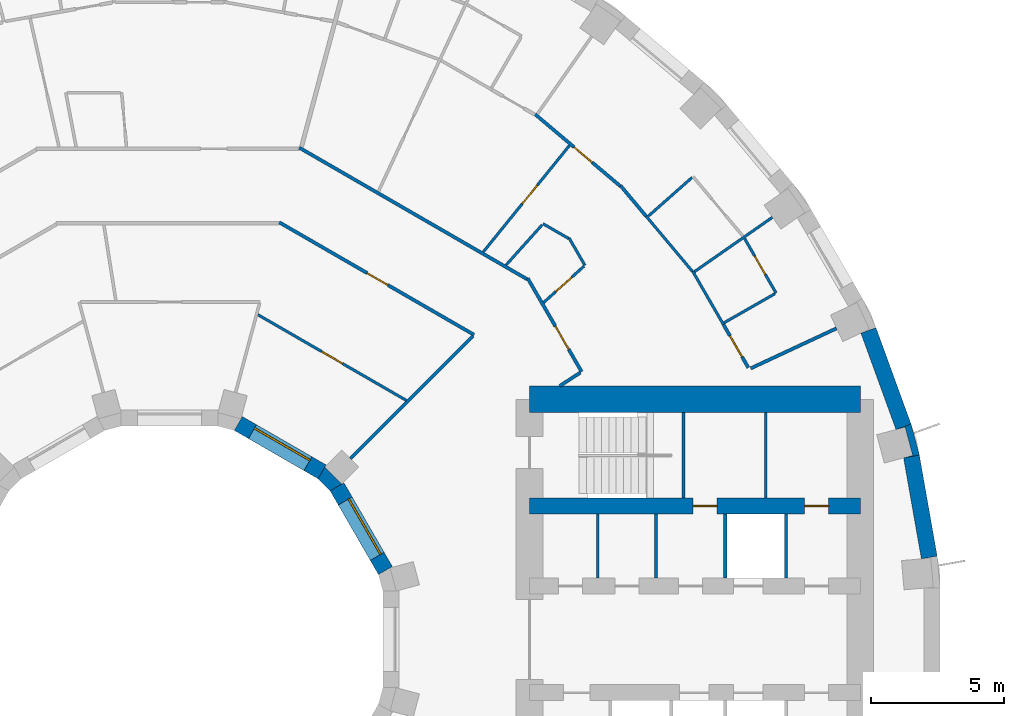
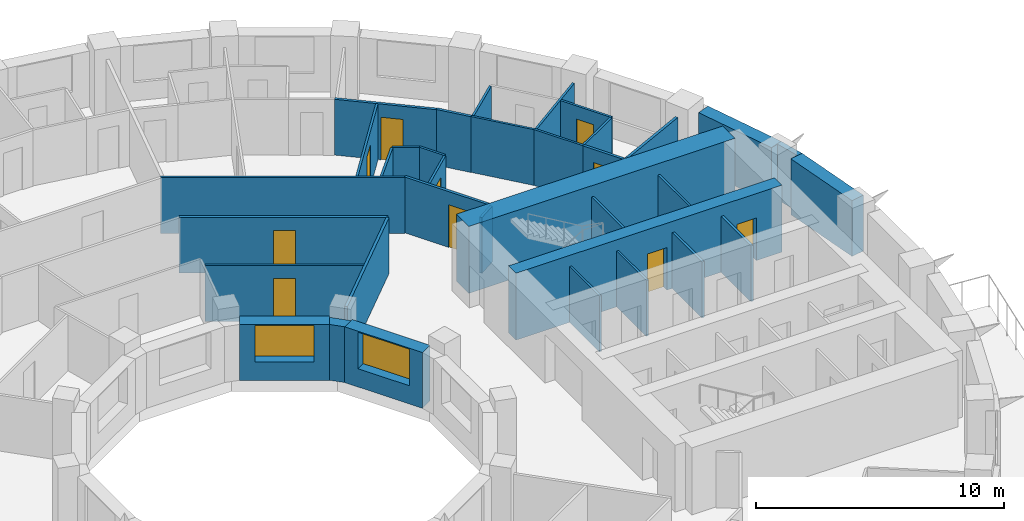
# One storey, part 12 of 15: 35 walls, 10 doors, 2 windows, 12 openings.
"""IFC4 building model written with IfcOpenShell, lengths in metres."""

from ifc_helpers import new_model, si_unit, direction, frame, frame_2d, origin, place, context, subcontext, project, spatial, polyline, rectangle, outline, extrude, material, layer, layer_set, type_object, element, fill, save


model = new_model("IFC4")

# Units and contexts
model_context = context("Model", 3, precision=1e-05, world=origin(), true_north=direction((0.0, 1.0)))
body_context = subcontext(model_context, "Body", "Model", "MODEL_VIEW")
ifc_project = project(units=[si_unit("LENGTHUNIT", "METRE"), si_unit("AREAUNIT", "SQUARE_METRE"), si_unit("VOLUMEUNIT", "CUBIC_METRE"), si_unit("PLANEANGLEUNIT", "RADIAN"), si_unit("MASSUNIT", "GRAM", prefix="KILO")], contexts=[model_context])

# Site, building, storey
site_placement = place(None, origin())
site = spatial("IfcSite", under=ifc_project, at=site_placement, CompositionType="ELEMENT")
building_placement = place(site_placement, origin())
building = spatial("IfcBuilding", under=site, at=building_placement, Name="Saqina Gate Tower", CompositionType="ELEMENT")
storey_placement = place(building_placement, frame((0.0, 0.0, 42.800048828125)))
storey = spatial("IfcBuildingStorey", under=building, at=storey_placement, Name="L11", CompositionType="ELEMENT", Elevation=42.800048828125)

# Walls
ifc_material_1 = material(Name="Brick masonry (red)", Category="masonry")
wall_type_1 = type_object("IfcWallType", Name="BRICK PIER COPING RED", PredefinedType="SOLIDWALL", material=ifc_material_1)
wall_1_placement = place(storey_placement, origin())
element("IfcWall", 1, at=wall_1_placement, inside=storey, type_object=wall_type_1, Name="Pier cap L11 column 2", PredefinedType="SOLIDWALL", context=body_context, shape_type="SweptSolid", body=[
    extrude(outline(polyline([(28.11669921875, 6.910400390625), (27.80517578125, 8.073974609375), (27.2412109375, 7.86865234375), (27.57958984375, 7.95947265625), (27.864501953125, 6.896728515625), (27.52587890625, 6.80615234375), (28.11669921875, 6.910400390625)])), origin(), (0.0, 0.0, 1.0), 2.75),
])
ifc_material_2 = material(Name="Gypsum board on steel studs", Category="steel")
ifc_layer_1 = layer(ifc_material_2, 0.10009765625)
ifc_layer_set_1 = layer_set([ifc_layer_1], Name="CORE PARTITION")
wall_type_2 = type_object("IfcWallType", Name="CORE PARTITION", PredefinedType="PARTITIONING", material=ifc_layer_set_1)
for number, where, z_axis, x_axis, name in (
    (2, (16.052001953125, 2.300048828125, 0.0), (0.0, 0.0, 1.0), (0.0, 1.0, 0.0), "L11-CP-E01"),
    (3, (18.24072265625, 2.300048828125, 0.0), (0.0, 0.0, 1.0), (0.0, 1.0, 0.0), "L11-CP-E02"),
):
    element("IfcWall", number, at=place(storey_placement, frame(where, z_axis=z_axis, x_axis=x_axis)), inside=storey, type_object=wall_type_2, Name=name, PredefinedType="PARTITIONING", context=body_context, shape_type="SweptSolid", body=[
        extrude(rectangle(XDim=2.39990234375, YDim=0.10009765625, at=frame_2d((1.199951171875, 0.0))), origin(), (0.0, 0.0, 1.0), 2.75),
    ])
wall_2_placement = place(storey_placement, frame((22.360107421875, 5.300048828125, 0.0), z_axis=(0.0, 0.0, 1.0), x_axis=(0.0, 1.0, 0.0)))
element("IfcWall", 4, at=wall_2_placement, inside=storey, type_object=wall_type_2, Name="L11-CP-E11", PredefinedType="PARTITIONING", context=body_context, shape_type="SweptSolid", body=[
    extrude(rectangle(XDim=3.199951171875, YDim=0.10009765625, at=frame_2d((1.60009765625, 0.0))), origin(), (0.0, 0.0, 1.0), 2.75),
])
ifc_material_3 = material(Name="Glazed ceramic tile", Category="ceramic")
ifc_layer_2 = layer(ifc_material_3, 0.60009765625)
ifc_layer_set_2 = layer_set([ifc_layer_2], Name="FW-TILE")
wall_type_3 = type_object("IfcWallType", Name="FW-TILE", PredefinedType="SOLIDWALL", material=ifc_layer_set_2)
wall_3_placement = place(storey_placement, frame((27.523193359375, 7.97119140625, 0.0), z_axis=(0.0, 0.0, 1.0), x_axis=(-0.342028474173, 0.939689588564, 0.0)))
element("IfcWall", 5, at=wall_3_placement, inside=storey, type_object=wall_type_3, Name="Facade wall L11 facet 2", PredefinedType="SOLIDWALL", context=body_context, shape_type="SweptSolid", body=[
    extrude(rectangle(XDim=3.845947265625, YDim=0.60009765625, at=frame_2d((1.9228515625, 0.0))), origin(), (0.0, 0.0, 1.0), 2.75),
])
ifc_material_4 = material(Name="Glazed ceramic tile (white)", Category="ceramic")
ifc_layer_3 = layer(ifc_material_4, 0.60009765625)
ifc_layer_set_3 = layer_set([ifc_layer_3], Name="FW-TILE-WH")
wall_type_4 = type_object("IfcWallType", Name="FW-TILE-WH", PredefinedType="SOLIDWALL", material=ifc_layer_set_3)
wall_4_placement = place(storey_placement, frame((28.4892578125, 3.07080078125, 0.0), z_axis=(0.0, 0.0, 1.0), x_axis=(-0.173687553279, 0.984800809218, 0.0)))
element("IfcWall", 6, at=wall_4_placement, inside=storey, type_object=wall_type_4, Name="Facade wall L11 facet 1", PredefinedType="SOLIDWALL", context=body_context, shape_type="SweptSolid", body=[
    extrude(rectangle(XDim=3.845703125, YDim=0.60009765625, at=frame_2d((1.9228515625, 0.0))), origin(), (0.0, 0.0, 1.0), 2.75),
])

# Wall, opening, window
ifc_material_5 = material(Name="Glazed ceramic tile", Category="ceramic")
ifc_layer_4 = layer(ifc_material_5, 0.60009765625)
ifc_layer_set_4 = layer_set([ifc_layer_4], Name="IW-TILE")
wall_type_5 = type_object("IfcWallType", Name="IW-TILE", PredefinedType="SOLIDWALL", material=ifc_layer_set_4)
wall_5_placement = place(storey_placement, frame((8.09423828125, 2.580322265625, 0.0), z_axis=(0.0, 0.0, 1.0), x_axis=(-0.499992569217, 0.866029693906, 0.0)))
wall_5 = element("IfcWall", 7, at=wall_5_placement, inside=storey, type_object=wall_type_5, Name="Well wall L11 facet 1", PredefinedType="SOLIDWALL", context=body_context, shape_type="SweptSolid", body=[
    extrude(rectangle(XDim=3.625, YDim=0.60009765625, at=frame_2d((1.8125, 0.0))), origin(), (0.0, 0.0, 1.0), 2.75),
])
opening_1_placement = place(wall_5_placement, frame((0.612548828125, 0.0, 0.89990234375)))
opening_1 = element("IfcOpeningElement", 8, at=opening_1_placement, cuts=wall_5, Name="Opening G02-W23", PredefinedType="OPENING", context=body_context, shape_type="SweptSolid", body=[
    extrude(rectangle(XDim=2.39990234375, YDim=1.800048828125, at=frame_2d((1.199951171875, 0.89990234375))), frame((0.0, 0.31201171875, 0.0), z_axis=(0.0, -1.0, 0.0), x_axis=(1.0, 0.0, 0.0)), (0.0, 0.0, 1.0), 0.6240234375),
])
ifc_material_6 = material(Name="Aluminium glazing", Category="aluminium")
window_type = type_object("IfcWindowType", Name="WN-W", PartitioningType="SINGLE_PANEL", PredefinedType="WINDOW", material=ifc_material_6)
window_1_placement = place(opening_1_placement, origin())
window_1 = element("IfcWindow", 9, at=window_1_placement, inside=storey, type_object=window_type, Name="Well window L11 facet 1", OverallHeight=1.800048828125, OverallWidth=2.39990234375, PartitioningType="SINGLE_PANEL", PredefinedType="WINDOW", context=body_context, shape_type="SweptSolid", body=[
    extrude(rectangle(XDim=2.39990234375, YDim=1.800048828125, at=frame_2d((1.199951171875, 0.89990234375))), frame((0.0, -0.119873046875, 0.0), z_axis=(0.0, -1.0, 0.0), x_axis=(1.0, 0.0, 0.0)), (0.0, 0.0, 1.0), 0.06005859375),
])
fill(opening_1, window_1)

wall_6_placement = place(storey_placement, frame((5.7197265625, 6.28173828125, 0.0), z_axis=(0.0, 0.0, 1.0), x_axis=(-0.866029693906, 0.499992569217, 0.0)))
wall_6 = element("IfcWall", 10, at=wall_6_placement, inside=storey, type_object=wall_type_5, Name="Well wall L11 facet 2", PredefinedType="SOLIDWALL", context=body_context, shape_type="SweptSolid", body=[
    extrude(rectangle(XDim=3.625, YDim=0.60009765625, at=frame_2d((1.8125, 0.0))), origin(), (0.0, 0.0, 1.0), 2.75),
])
opening_2_placement = place(wall_6_placement, frame((0.612548828125, 0.0, 0.89990234375)))
opening_2 = element("IfcOpeningElement", 11, at=opening_2_placement, cuts=wall_6, Name="Opening G02-W24", PredefinedType="OPENING", context=body_context, shape_type="SweptSolid", body=[
    extrude(rectangle(XDim=2.39990234375, YDim=1.800048828125, at=frame_2d((1.199951171875, 0.89990234375))), frame((0.0, 0.31201171875, 0.0), z_axis=(0.0, -1.0, 0.0), x_axis=(1.0, 0.0, 0.0)), (0.0, 0.0, 1.0), 0.6240234375),
])
window_2_placement = place(opening_2_placement, origin())
window_2 = element("IfcWindow", 12, at=window_2_placement, inside=storey, type_object=window_type, Name="Well window L11 facet 2", OverallHeight=1.800048828125, OverallWidth=2.39990234375, PartitioningType="SINGLE_PANEL", PredefinedType="WINDOW", context=body_context, shape_type="SweptSolid", body=[
    extrude(rectangle(XDim=2.39990234375, YDim=1.800048828125, at=frame_2d((1.199951171875, 0.89990234375))), frame((0.0, -0.119873046875, 0.0), z_axis=(0.0, -1.0, 0.0), x_axis=(1.0, 0.0, 0.0)), (0.0, 0.0, 1.0), 0.06005859375),
])
fill(opening_2, window_2)

# Walls
ifc_material_7 = material(Name="Gypsum board on steel studs, 100 mm", Category="steel")
ifc_layer_5 = layer(ifc_material_7, 0.10009765625)
ifc_layer_set_5 = layer_set([ifc_layer_5], Name="PARTITION 100")
wall_type_6 = type_object("IfcWallType", Name="PARTITION 100", PredefinedType="PARTITIONING", material=ifc_layer_set_5)
wall_7_placement = place(storey_placement, frame((14.97802734375, 15.056884765625, 0.0), z_axis=(0.0, 0.0, 1.0), x_axis=(0.500342374835, -0.865827643324, 0.0)))
element("IfcWall", 13, at=wall_7_placement, inside=storey, type_object=wall_type_6, Name="PARTITION PW3-25", PredefinedType="PARTITIONING", context=body_context, shape_type="SweptSolid", body=[
    extrude(rectangle(XDim=1.193115234375, YDim=0.10009765625, at=frame_2d((0.5966796875, 0.0))), origin(), (0.0, 0.0, 1.0), 2.75),
])
wall_8_placement = place(storey_placement, frame((19.61865234375, 13.799072265625, 0.0), z_axis=(0.0, 0.0, 1.0), x_axis=(0.500055369823, -0.865993433642, 0.0)))
element("IfcWall", 14, at=wall_8_placement, inside=storey, type_object=wall_type_6, Name="PARTITION PW3-26", PredefinedType="PARTITIONING", context=body_context, shape_type="SweptSolid", body=[
    extrude(rectangle(XDim=2.306396484375, YDim=0.10009765625, at=frame_2d((1.1533203125, 0.0))), origin(), (0.0, 0.0, 1.0), 2.75),
])

# Wall, opening, door
wall_9_placement = place(storey_placement, frame((21.56005859375, 15.03564453125, 0.0), z_axis=(0.0, 0.0, 1.0), x_axis=(0.499987246797, -0.866032766724, 0.0)))
wall_9 = element("IfcWall", 15, at=wall_9_placement, inside=storey, type_object=wall_type_6, Name="PARTITION PW3-27", PredefinedType="PARTITIONING", context=body_context, shape_type="SweptSolid", body=[
    extrude(rectangle(XDim=2.36767578125, YDim=0.10009765625, at=frame_2d((1.183837890625, 0.0))), origin(), (0.0, 0.0, 1.0), 2.75),
])
opening_3_placement = place(wall_9_placement, frame((0.759033203125, 0.0, 0.0)))
opening_3 = element("IfcOpeningElement", 16, at=opening_3_placement, cuts=wall_9, Name="Opening G02-D02", PredefinedType="OPENING", context=body_context, shape_type="SweptSolid", body=[
    extrude(rectangle(XDim=0.800048828125, YDim=2.10009765625, at=frame_2d((0.39990234375, 1.050048828125))), frame((0.0, 0.06201171875, 0.0), z_axis=(0.0, -1.0, 0.0), x_axis=(1.0, 0.0, 0.0)), (0.0, 0.0, 1.0), 0.1240234375),
])
ifc_material_8 = material(Name="Timber door leaf, 800 mm", Category="wood")
door_type_1 = type_object("IfcDoorType", Name="DOOR 800 TIMBER", OperationType="SINGLE_SWING_LEFT", PredefinedType="DOOR", material=ifc_material_8)
door_1_placement = place(opening_3_placement, origin())
door_1 = element("IfcDoor", 17, at=door_1_placement, inside=storey, type_object=door_type_1, Name="DOOR G02-D02", OperationType="SINGLE_SWING_LEFT", OverallHeight=2.10009765625, OverallWidth=0.800048828125, PredefinedType="DOOR", context=body_context, shape_type="SweptSolid", body=[
    extrude(rectangle(XDim=0.800048828125, YDim=2.10009765625, at=frame_2d((0.39990234375, 1.050048828125))), frame((0.0, 0.02490234375, 0.0), z_axis=(0.0, -1.0, 0.0), x_axis=(1.0, 0.0, 0.0)), (0.0, 0.0, 1.0), 0.050048828125),
])
fill(opening_3, door_1)

# Wall
wall_10_placement = place(storey_placement, frame((17.872802734375, 15.865234375, 0.0), z_axis=(0.0, 0.0, 1.0), x_axis=(0.642870303164, -0.765975047446, 0.0)))
element("IfcWall", 18, at=wall_10_placement, inside=storey, type_object=wall_type_6, Name="PARTITION PW3-32", PredefinedType="PARTITIONING", context=body_context, shape_type="SweptSolid", body=[
    extrude(rectangle(XDim=2.705078125, YDim=0.10009765625, at=frame_2d((1.3525390625, 0.0))), origin(), (0.0, 0.0, 1.0), 2.75),
])

# Wall, opening, door
wall_11_placement = place(storey_placement, frame((3.312744140625, 12.1748046875, 0.0), z_axis=(0.0, 0.0, 1.0), x_axis=(0.866015366624, -0.500017384468, 0.0)))
wall_11 = element("IfcWall", 19, at=wall_11_placement, inside=storey, type_object=wall_type_6, Name="PARTITION PW3-45", PredefinedType="PARTITIONING", context=body_context, shape_type="SweptSolid", body=[
    extrude(rectangle(XDim=6.425048828125, YDim=0.10009765625, at=frame_2d((3.21240234375, 0.0))), origin(), (0.0, 0.0, 1.0), 2.75),
])
opening_4_placement = place(wall_11_placement, frame((2.7685546875, 0.0, 0.0)))
opening_4 = element("IfcOpeningElement", 20, at=opening_4_placement, cuts=wall_11, Name="Opening G02-D09", PredefinedType="OPENING", context=body_context, shape_type="SweptSolid", body=[
    extrude(rectangle(XDim=0.89990234375, YDim=2.10009765625, at=frame_2d((0.449951171875, 1.050048828125))), frame((0.0, 0.06201171875, 0.0), z_axis=(0.0, -1.0, 0.0), x_axis=(1.0, 0.0, 0.0)), (0.0, 0.0, 1.0), 0.1240234375),
])
ifc_material_9 = material(Name="Timber door leaf, 900 mm", Category="wood")
door_type_2 = type_object("IfcDoorType", Name="DOOR 900 TIMBER", OperationType="SINGLE_SWING_LEFT", PredefinedType="DOOR", material=ifc_material_9)
door_2_placement = place(opening_4_placement, origin())
door_2 = element("IfcDoor", 21, at=door_2_placement, inside=storey, type_object=door_type_2, Name="DOOR G02-D09", OperationType="SINGLE_SWING_RIGHT", OverallHeight=2.10009765625, OverallWidth=0.89990234375, PredefinedType="DOOR", context=body_context, shape_type="SweptSolid", body=[
    extrude(rectangle(XDim=0.89990234375, YDim=2.10009765625, at=frame_2d((0.449951171875, 1.050048828125))), frame((0.0, 0.02490234375, 0.0), z_axis=(0.0, -1.0, 0.0), x_axis=(1.0, 0.0, 0.0)), (0.0, 0.0, 1.0), 0.050048828125),
])
fill(opening_4, door_2)

# Walls
wall_12_placement = place(storey_placement, frame((14.008056640625, 15.5830078125, 0.0), z_axis=(0.0, 0.0, 1.0), x_axis=(0.866288740656, -0.49954360952, 0.0)))
element("IfcWall", 22, at=wall_12_placement, inside=storey, type_object=wall_type_6, Name="PARTITION PW3-46", PredefinedType="PARTITIONING", context=body_context, shape_type="SweptSolid", body=[
    extrude(rectangle(XDim=1.10302734375, YDim=0.10009765625, at=frame_2d((0.551513671875, 0.0))), origin(), (0.0, 0.0, 1.0), 2.75),
])
wall_13_placement = place(storey_placement, frame((20.79052734375, 11.869873046875, 0.0), z_axis=(0.0, 0.0, 1.0), x_axis=(0.86847529617, 0.495732447942, 0.0)))
element("IfcWall", 23, at=wall_13_placement, inside=storey, type_object=wall_type_6, Name="PARTITION PW3-74", PredefinedType="PARTITIONING", context=body_context, shape_type="SweptSolid", body=[
    extrude(rectangle(XDim=2.199462890625, YDim=0.10009765625, at=frame_2d((1.099609375, 0.0))), origin(), (0.0, 0.0, 1.0), 2.75),
])
wall_14_placement = place(storey_placement, frame((19.6826171875, 13.786865234375, 0.0), z_axis=(0.0, 0.0, 1.0), x_axis=(0.820194321254, 0.57208502461, 0.0)))
element("IfcWall", 24, at=wall_14_placement, inside=storey, type_object=wall_type_6, Name="PARTITION PW3-83", PredefinedType="PARTITIONING", context=body_context, shape_type="SweptSolid", body=[
    extrude(rectangle(XDim=3.55908203125, YDim=0.10009765625, at=frame_2d((1.779541015625, 0.0))), origin(), (0.0, 0.0, 1.0), 2.75),
])
wall_15_placement = place(storey_placement, frame((17.951904296875, 15.868408203125, 0.0), z_axis=(0.0, 0.0, 1.0), x_axis=(0.749222226859, 0.662318695781, 0.0)))
element("IfcWall", 25, at=wall_15_placement, inside=storey, type_object=wall_type_6, Name="PARTITION PW3-87", PredefinedType="PARTITIONING", context=body_context, shape_type="SweptSolid", body=[
    extrude(rectangle(XDim=2.1884765625, YDim=0.10009765625, at=frame_2d((1.09423828125, 0.0))), origin(), (0.0, 0.0, 1.0), 2.75),
])

# Wall, opening, door
wall_16_placement = place(storey_placement, frame((14.0263671875, 12.62890625, 0.0), z_axis=(0.0, 0.0, 1.0), x_axis=(0.742989731373, 0.669302815678, 0.0)))
wall_16 = element("IfcWall", 26, at=wall_16_placement, inside=storey, type_object=wall_type_6, Name="PARTITION PW3-88", PredefinedType="PARTITIONING", context=body_context, shape_type="SweptSolid", body=[
    extrude(rectangle(XDim=2.034423828125, YDim=0.10009765625, at=frame_2d((1.01708984375, 0.0))), origin(), (0.0, 0.0, 1.0), 2.75),
])
opening_5_placement = place(wall_16_placement, frame((0.61083984375, 0.0, 0.0)))
opening_5 = element("IfcOpeningElement", 27, at=opening_5_placement, cuts=wall_16, Name="Opening G02-D05", PredefinedType="OPENING", context=body_context, shape_type="SweptSolid", body=[
    extrude(rectangle(XDim=0.800048828125, YDim=2.10009765625, at=frame_2d((0.39990234375, 1.050048828125))), frame((0.0, 0.06201171875, 0.0), z_axis=(0.0, -1.0, 0.0), x_axis=(1.0, 0.0, 0.0)), (0.0, 0.0, 1.0), 0.1240234375),
])
door_3_placement = place(opening_5_placement, frame((0.800048828125, 0.0, 0.0), z_axis=(0.0, 0.0, 1.0), x_axis=(-1.0, 0.0, 0.0)))
door_3 = element("IfcDoor", 28, at=door_3_placement, inside=storey, type_object=door_type_1, Name="DOOR G02-D05", OperationType="SINGLE_SWING_RIGHT", OverallHeight=2.10009765625, OverallWidth=0.800048828125, PredefinedType="DOOR", context=body_context, shape_type="SweptSolid", body=[
    extrude(rectangle(XDim=0.800048828125, YDim=2.10009765625, at=frame_2d((0.39990234375, 1.050048828125))), frame((0.0, 0.02490234375, 0.0), z_axis=(0.0, -1.0, 0.0), x_axis=(1.0, 0.0, 0.0)), (0.0, 0.0, 1.0), 0.050048828125),
])
fill(opening_5, door_3)

# Wall
wall_17_placement = place(storey_placement, frame((12.615966796875, 14.03369140625, 0.0), z_axis=(0.0, 0.0, 1.0), x_axis=(0.668327519136, 0.743867143491, 0.0)))
element("IfcWall", 29, at=wall_17_placement, inside=storey, type_object=wall_type_6, Name="PARTITION PW3-90", PredefinedType="PARTITIONING", context=body_context, shape_type="SweptSolid", body=[
    extrude(rectangle(XDim=2.032958984375, YDim=0.10009765625, at=frame_2d((1.0166015625, 0.0))), origin(), (0.0, 0.0, 1.0), 2.75),
])

# Wall, opening, door
wall_18_placement = place(storey_placement, frame((11.763427734375, 14.526611328125, 0.0), z_axis=(0.0, 0.0, 1.0), x_axis=(0.629330794749, 0.777137536592, 0.0)))
wall_18 = element("IfcWall", 30, at=wall_18_placement, inside=storey, type_object=wall_type_6, Name="PARTITION PW3-94", PredefinedType="PARTITIONING", context=body_context, shape_type="SweptSolid", body=[
    extrude(rectangle(XDim=5.138671875, YDim=0.10009765625, at=frame_2d((2.5693359375, 0.0))), origin(), (0.0, 0.0, 1.0), 2.75),
])
opening_6_placement = place(wall_18_placement, frame((2.319580078125, 0.0, 0.0)))
opening_6 = element("IfcOpeningElement", 31, at=opening_6_placement, cuts=wall_18, Name="Opening G02-D07", PredefinedType="OPENING", context=body_context, shape_type="SweptSolid", body=[
    extrude(rectangle(XDim=0.89990234375, YDim=2.10009765625, at=frame_2d((0.449951171875, 1.050048828125))), frame((0.0, 0.06201171875, 0.0), z_axis=(0.0, -1.0, 0.0), x_axis=(1.0, 0.0, 0.0)), (0.0, 0.0, 1.0), 0.1240234375),
])
door_4_placement = place(opening_6_placement, frame((0.89990234375, 0.0, 0.0), z_axis=(0.0, 0.0, 1.0), x_axis=(-1.0, 0.0, 0.0)))
door_4 = element("IfcDoor", 32, at=door_4_placement, inside=storey, type_object=door_type_2, Name="DOOR G02-D07", OperationType="SINGLE_SWING_LEFT", OverallHeight=2.10009765625, OverallWidth=0.89990234375, PredefinedType="DOOR", context=body_context, shape_type="SweptSolid", body=[
    extrude(rectangle(XDim=0.89990234375, YDim=2.10009765625, at=frame_2d((0.449951171875, 1.050048828125))), frame((0.0, 0.02490234375, 0.0), z_axis=(0.0, -1.0, 0.0), x_axis=(1.0, 0.0, 0.0)), (0.0, 0.0, 1.0), 0.050048828125),
])
fill(opening_6, door_4)

ifc_material_10 = material(Name="Gypsum board on steel studs, 125 mm, fire rated", Category="steel")
ifc_layer_6 = layer(ifc_material_10, 0.125)
ifc_layer_set_6 = layer_set([ifc_layer_6], Name="PARTITION EI 30 125")
wall_type_7 = type_object("IfcWallType", Name="PARTITION EI 30 125", PredefinedType="PARTITIONING", material=ifc_layer_set_6)
wall_19_placement = place(storey_placement, frame((13.433837890625, 13.532470703125, 0.0), z_axis=(0.0, 0.0, 1.0), x_axis=(0.499949220301, -0.866054719472, 0.0)))
wall_19 = element("IfcWall", 33, at=wall_19_placement, inside=storey, type_object=wall_type_7, Name="PARTITION PW1-04", PredefinedType="PARTITIONING", context=body_context, shape_type="SweptSolid", body=[
    extrude(rectangle(XDim=4.03857421875, YDim=0.125, at=frame_2d((2.019287109375, 0.0))), origin(), (0.0, 0.0, 1.0), 2.75),
])
opening_7_placement = place(wall_19_placement, frame((2.065185546875, 0.0, 0.0)))
opening_7 = element("IfcOpeningElement", 34, at=opening_7_placement, cuts=wall_19, Name="Opening G02-D03", PredefinedType="OPENING", context=body_context, shape_type="SweptSolid", body=[
    extrude(rectangle(XDim=1.0, YDim=2.10009765625, at=frame_2d((0.5, 1.050048828125))), frame((0.0, 0.074462890625, 0.0), z_axis=(0.0, -1.0, 0.0), x_axis=(1.0, 0.0, 0.0)), (0.0, 0.0, 1.0), 0.14892578125),
])
ifc_material_11 = material(Name="Fire door leaf EI 30, 1000 mm")
door_type_3 = type_object("IfcDoorType", Name="DOOR 1000 EI 30", OperationType="SINGLE_SWING_LEFT", PredefinedType="DOOR", material=ifc_material_11)
door_5_placement = place(opening_7_placement, origin())
door_5 = element("IfcDoor", 35, at=door_5_placement, inside=storey, type_object=door_type_3, Name="DOOR G02-D03", OperationType="SINGLE_SWING_RIGHT", OverallHeight=2.10009765625, OverallWidth=1.0, PredefinedType="DOOR", context=body_context, shape_type="SweptSolid", body=[
    extrude(rectangle(XDim=1.0, YDim=2.10009765625, at=frame_2d((0.5, 1.050048828125))), frame((0.0, 0.02490234375, 0.0), z_axis=(0.0, -1.0, 0.0), x_axis=(1.0, 0.0, 0.0)), (0.0, 0.0, 1.0), 0.050048828125),
])
fill(opening_7, door_5)

wall_20_placement = place(storey_placement, frame((20.77197265625, 11.8017578125, 0.0), z_axis=(0.0, 0.0, 1.0), x_axis=(0.499862453367, -0.866104801807, 0.0)))
wall_20 = element("IfcWall", 36, at=wall_20_placement, inside=storey, type_object=wall_type_7, Name="PARTITION PW1-05", PredefinedType="PARTITIONING", context=body_context, shape_type="SweptSolid", body=[
    extrude(rectangle(XDim=1.86181640625, YDim=0.125, at=frame_2d((0.930908203125, 0.0))), origin(), (0.0, 0.0, 1.0), 2.75),
])
opening_8_placement = place(wall_20_placement, frame((0.486083984375, 0.0, 0.0)))
opening_8 = element("IfcOpeningElement", 37, at=opening_8_placement, cuts=wall_20, Name="Opening G02-D01", PredefinedType="OPENING", context=body_context, shape_type="SweptSolid", body=[
    extrude(rectangle(XDim=0.89990234375, YDim=2.10009765625, at=frame_2d((0.449951171875, 1.050048828125))), frame((0.0, 0.074462890625, 0.0), z_axis=(0.0, -1.0, 0.0), x_axis=(1.0, 0.0, 0.0)), (0.0, 0.0, 1.0), 0.14892578125),
])
ifc_material_12 = material(Name="Fire door leaf EI 30, 900 mm")
door_type_4 = type_object("IfcDoorType", Name="DOOR 900 EI 30", OperationType="SINGLE_SWING_LEFT", PredefinedType="DOOR", material=ifc_material_12)
door_6_placement = place(opening_8_placement, frame((0.89990234375, 0.0, 0.0), z_axis=(0.0, 0.0, 1.0), x_axis=(-1.0, 0.0, 0.0)))
door_6 = element("IfcDoor", 38, at=door_6_placement, inside=storey, type_object=door_type_4, Name="DOOR G02-D01", OperationType="SINGLE_SWING_LEFT", OverallHeight=2.10009765625, OverallWidth=0.89990234375, PredefinedType="DOOR", context=body_context, shape_type="SweptSolid", body=[
    extrude(rectangle(XDim=0.89990234375, YDim=2.10009765625, at=frame_2d((0.449951171875, 1.050048828125))), frame((0.0, 0.02490234375, 0.0), z_axis=(0.0, -1.0, 0.0), x_axis=(1.0, 0.0, 0.0)), (0.0, 0.0, 1.0), 0.050048828125),
])
fill(opening_8, door_6)

# Wall
wall_21_placement = place(storey_placement, frame((16.916259765625, 17.005615234375, 0.0), z_axis=(0.0, 0.0, 1.0), x_axis=(0.642649535047, -0.766160280297, 0.0)))
element("IfcWall", 39, at=wall_21_placement, inside=storey, type_object=wall_type_7, Name="PARTITION PW1-08", PredefinedType="PARTITIONING", context=body_context, shape_type="SweptSolid", body=[
    extrude(rectangle(XDim=1.488525390625, YDim=0.125, at=frame_2d((0.744140625, 0.0))), origin(), (0.0, 0.0, 1.0), 2.75),
])

# Wall, opening, door
wall_22_placement = place(storey_placement, frame((13.708984375, 19.689208984375, 0.0), z_axis=(0.0, 0.0, 1.0), x_axis=(0.764384092804, -0.644761164051, 0.0)))
wall_22 = element("IfcWall", 40, at=wall_22_placement, inside=storey, type_object=wall_type_7, Name="PARTITION PW1-11", PredefinedType="PARTITIONING", context=body_context, shape_type="SweptSolid", body=[
    extrude(rectangle(XDim=4.181884765625, YDim=0.125, at=frame_2d((2.0908203125, 0.0))), origin(), (0.0, 0.0, 1.0), 2.75),
])
opening_9_placement = place(wall_22_placement, frame((1.904296875, 0.0, 0.0)))
opening_9 = element("IfcOpeningElement", 41, at=opening_9_placement, cuts=wall_22, Name="Opening G02-D06", PredefinedType="OPENING", context=body_context, shape_type="SweptSolid", body=[
    extrude(rectangle(XDim=0.89990234375, YDim=2.10009765625, at=frame_2d((0.449951171875, 1.050048828125))), frame((0.0, 0.074462890625, 0.0), z_axis=(0.0, -1.0, 0.0), x_axis=(1.0, 0.0, 0.0)), (0.0, 0.0, 1.0), 0.14892578125),
])
door_7_placement = place(opening_9_placement, frame((0.89990234375, 0.0, 0.0), z_axis=(0.0, 0.0, 1.0), x_axis=(-1.0, 0.0, 0.0)))
door_7 = element("IfcDoor", 42, at=door_7_placement, inside=storey, type_object=door_type_4, Name="DOOR G02-D06", OperationType="SINGLE_SWING_RIGHT", OverallHeight=2.10009765625, OverallWidth=0.89990234375, PredefinedType="DOOR", context=body_context, shape_type="SweptSolid", body=[
    extrude(rectangle(XDim=0.89990234375, YDim=2.10009765625, at=frame_2d((0.449951171875, 1.050048828125))), frame((0.0, 0.02490234375, 0.0), z_axis=(0.0, -1.0, 0.0), x_axis=(1.0, 0.0, 0.0)), (0.0, 0.0, 1.0), 0.050048828125),
])
fill(opening_9, door_7)

wall_23_placement = place(storey_placement, frame((4.117431640625, 15.635986328125, 0.0), z_axis=(0.0, 0.0, 1.0), x_axis=(0.866026957163, -0.49999730946, 0.0)))
wall_23 = element("IfcWall", 43, at=wall_23_placement, inside=storey, type_object=wall_type_7, Name="PARTITION PW1-19", PredefinedType="PARTITIONING", context=body_context, shape_type="SweptSolid", body=[
    extrude(rectangle(XDim=8.43212890625, YDim=0.125, at=frame_2d((4.216064453125, 0.0))), origin(), (0.0, 0.0, 1.0), 2.75),
])
opening_10_placement = place(wall_23_placement, frame((3.80224609375, 0.0, 0.0)))
opening_10 = element("IfcOpeningElement", 44, at=opening_10_placement, cuts=wall_23, Name="Opening G02-D10", PredefinedType="OPENING", context=body_context, shape_type="SweptSolid", body=[
    extrude(rectangle(XDim=0.89990234375, YDim=2.10009765625, at=frame_2d((0.449951171875, 1.050048828125))), frame((0.0, 0.074462890625, 0.0), z_axis=(0.0, -1.0, 0.0), x_axis=(1.0, 0.0, 0.0)), (0.0, 0.0, 1.0), 0.14892578125),
])
door_8_placement = place(opening_10_placement, frame((0.89990234375, 0.0, 0.0), z_axis=(0.0, 0.0, 1.0), x_axis=(-1.0, 0.0, 0.0)))
door_8 = element("IfcDoor", 45, at=door_8_placement, inside=storey, type_object=door_type_4, Name="DOOR G02-D10", OperationType="SINGLE_SWING_LEFT", OverallHeight=2.10009765625, OverallWidth=0.89990234375, PredefinedType="DOOR", context=body_context, shape_type="SweptSolid", body=[
    extrude(rectangle(XDim=0.89990234375, YDim=2.10009765625, at=frame_2d((0.449951171875, 1.050048828125))), frame((0.0, 0.02490234375, 0.0), z_axis=(0.0, -1.0, 0.0), x_axis=(1.0, 0.0, 0.0)), (0.0, 0.0, 1.0), 0.050048828125),
])
fill(opening_10, door_8)

# Walls
wall_24_placement = place(storey_placement, frame((4.867431640625, 18.43603515625, 0.0), z_axis=(0.0, 0.0, 1.0), x_axis=(0.86605048973, -0.49995654735, 0.0)))
element("IfcWall", 46, at=wall_24_placement, inside=storey, type_object=wall_type_7, Name="PARTITION PW1-20", PredefinedType="PARTITIONING", context=body_context, shape_type="SweptSolid", body=[
    extrude(rectangle(XDim=9.87060546875, YDim=0.125, at=frame_2d((4.935302734375, 0.0))), origin(), (0.0, 0.0, 1.0), 2.75),
])
wall_25_placement = place(storey_placement, frame((21.79052734375, 10.161376953125, 0.0), z_axis=(0.0, 0.0, 1.0), x_axis=(0.906357161772, 0.422512361127, 0.0)))
element("IfcWall", 47, at=wall_25_placement, inside=storey, type_object=wall_type_7, Name="PARTITION PW1-37", PredefinedType="PARTITIONING", context=body_context, shape_type="SweptSolid", body=[
    extrude(rectangle(XDim=3.546630859375, YDim=0.125, at=frame_2d((1.7734375, 0.0))), origin(), (0.0, 0.0, 1.0), 2.75),
])
wall_26_placement = place(storey_placement, frame((14.62890625, 9.5, 0.0), z_axis=(0.0, 0.0, 1.0), x_axis=(0.838764779401, 0.544493934619, 0.0)))
element("IfcWall", 48, at=wall_26_placement, inside=storey, type_object=wall_type_7, Name="PARTITION PW1-45", PredefinedType="PARTITIONING", context=body_context, shape_type="SweptSolid", body=[
    extrude(rectangle(XDim=0.920166015625, YDim=0.125, at=frame_2d((0.4599609375, 0.0))), origin(), (0.0, 0.0, 1.0), 2.75),
])
wall_27_placement = place(storey_placement, frame((6.78271484375, 6.78271484375, 0.0), z_axis=(0.0, 0.0, 1.0), x_axis=(0.707106781187, 0.707106781187, 0.0)))
element("IfcWall", 49, at=wall_27_placement, inside=storey, type_object=wall_type_7, Name="PARTITION PW1-47", PredefinedType="PARTITIONING", context=body_context, shape_type="SweptSolid", body=[
    extrude(rectangle(XDim=6.49560546875, YDim=0.125, at=frame_2d((3.247802734375, 0.0))), origin(), (0.0, 0.0, 1.0), 2.75),
])
ifc_material_13 = material(Name="Autoclaved aerated concrete block", Category="concrete")
ifc_layer_7 = layer(ifc_material_13, 0.1201171875)
ifc_layer_set_7 = layer_set([ifc_layer_7], Name="SHAFT PARTITION")
wall_type_8 = type_object("IfcWallType", Name="SHAFT PARTITION", PredefinedType="PARTITIONING", material=ifc_layer_set_7)
for number, where, z_axis, x_axis, name in (
    (50, (20.840087890625, 2.300048828125, 0.0), (0.0, 0.0, 1.0), (0.0, 1.0, 0.0), "L11-CP-E03"),
    (51, (23.1201171875, 2.300048828125, 0.0), (0.0, 0.0, 1.0), (0.0, 1.0, 0.0), "L11-CP-E04"),
):
    element("IfcWall", number, at=place(storey_placement, frame(where, z_axis=z_axis, x_axis=x_axis)), inside=storey, type_object=wall_type_8, Name=name, PredefinedType="PARTITIONING", context=body_context, shape_type="SweptSolid", body=[
        extrude(rectangle(XDim=2.39990234375, YDim=0.1201171875, at=frame_2d((1.199951171875, 0.0))), origin(), (0.0, 0.0, 1.0), 2.75),
    ])
ifc_material_14 = material(Name="Autoclaved aerated concrete block", Category="concrete")
ifc_layer_8 = layer(ifc_material_14, 0.10009765625)
ifc_layer_set_8 = layer_set([ifc_layer_8], Name="STAIR ENCLOSURE WALL")
wall_type_9 = type_object("IfcWallType", Name="STAIR ENCLOSURE WALL", PredefinedType="PARTITIONING", material=ifc_layer_set_8)
wall_28_placement = place(storey_placement, frame((19.27001953125, 5.300048828125, 0.0), z_axis=(0.0, 0.0, 1.0), x_axis=(0.0, 1.0, 0.0)))
element("IfcWall", 52, at=wall_28_placement, inside=storey, type_object=wall_type_9, Name="L11-CP-E10", PredefinedType="PARTITIONING", context=body_context, shape_type="SweptSolid", body=[
    extrude(rectangle(XDim=3.199951171875, YDim=0.10009765625, at=frame_2d((1.60009765625, 0.0))), origin(), (0.0, 0.0, 1.0), 2.75),
])

# Wall, openings, doors
ifc_material_15 = material(Name="Concrete C70/85", Category="concrete")
ifc_layer_9 = layer(ifc_material_15, 0.60009765625)
ifc_layer_set_9 = layer_set([ifc_layer_9], Name="Concrete C70/85")
wall_type_10 = type_object("IfcWallType", Name="STR-CORE WALL-A-I", PredefinedType="SHEAR", material=ifc_layer_set_9)
wall_29_placement = place(storey_placement, frame((13.5, 5.0, 0.0), z_axis=(0.0, 0.0, 1.0), x_axis=(1.0, 0.0, 0.0)))
wall_29 = element("IfcWall", 53, at=wall_29_placement, inside=storey, type_object=wall_type_10, Name="CORE WALL L11 E-X1", PredefinedType="SHEAR", context=body_context, shape_type="SweptSolid", body=[
    extrude(rectangle(XDim=12.39990234375, YDim=0.60009765625, at=frame_2d((6.199951171875, 0.0))), origin(), (0.0, 0.0, 1.0), 3.300048828125),
])
opening_11_placement = place(wall_29_placement, frame((6.1298828125, 0.0, 0.0)))
opening_11 = element("IfcOpeningElement", 54, at=opening_11_placement, cuts=wall_29, Name="Opening G02-D96", PredefinedType="OPENING", context=body_context, shape_type="SweptSolid", body=[
    extrude(rectangle(XDim=0.89990234375, YDim=2.10009765625, at=frame_2d((0.449951171875, 1.050048828125))), frame((0.0, 0.31201171875, 0.0), z_axis=(0.0, -1.0, 0.0), x_axis=(1.0, 0.0, 0.0)), (0.0, 0.0, 1.0), 0.6240234375),
])
opening_12_placement = place(wall_29_placement, frame((10.31005859375, 0.0, 0.0)))
opening_12 = element("IfcOpeningElement", 55, at=opening_12_placement, cuts=wall_29, Name="Opening G02-D97", PredefinedType="OPENING", context=body_context, shape_type="SweptSolid", body=[
    extrude(rectangle(XDim=0.89990234375, YDim=2.10009765625, at=frame_2d((0.449951171875, 1.050048828125))), frame((0.0, 0.31201171875, 0.0), z_axis=(0.0, -1.0, 0.0), x_axis=(1.0, 0.0, 0.0)), (0.0, 0.0, 1.0), 0.6240234375),
])
ifc_material_16 = material(Name="Steel-framed fire door leaf, EI 60", Category="steel")
door_type_5 = type_object("IfcDoorType", Name="SERVICE ROOM DOOR 900", OperationType="SINGLE_SWING_LEFT", PredefinedType="DOOR", material=ifc_material_16)
door_9_placement = place(opening_11_placement, origin())
door_9 = element("IfcDoor", 56, at=door_9_placement, inside=storey, type_object=door_type_5, Name="L11-CD-E07", OperationType="SINGLE_SWING_LEFT", OverallHeight=2.10009765625, OverallWidth=0.89990234375, PredefinedType="DOOR", context=body_context, shape_type="SweptSolid", body=[
    extrude(rectangle(XDim=0.89990234375, YDim=2.10009765625, at=frame_2d((0.449951171875, 1.050048828125))), frame((0.0, 0.02490234375, 0.0), z_axis=(0.0, -1.0, 0.0), x_axis=(1.0, 0.0, 0.0)), (0.0, 0.0, 1.0), 0.050048828125),
])
fill(opening_11, door_9)
door_10_placement = place(opening_12_placement, origin())
door_10 = element("IfcDoor", 57, at=door_10_placement, inside=storey, type_object=door_type_5, Name="L11-CD-E08", OperationType="SINGLE_SWING_RIGHT", OverallHeight=2.10009765625, OverallWidth=0.89990234375, PredefinedType="DOOR", context=body_context, shape_type="SweptSolid", body=[
    extrude(rectangle(XDim=0.89990234375, YDim=2.10009765625, at=frame_2d((0.449951171875, 1.050048828125))), frame((0.0, 0.02490234375, 0.0), z_axis=(0.0, -1.0, 0.0), x_axis=(1.0, 0.0, 0.0)), (0.0, 0.0, 1.0), 0.050048828125),
])
fill(opening_12, door_10)

# Walls
ifc_material_17 = material(Name="Concrete C70/85", Category="concrete")
ifc_layer_10 = layer(ifc_material_17, 1.0)
ifc_layer_set_10 = layer_set([ifc_layer_10], Name="Concrete C70/85")
wall_type_11 = type_object("IfcWallType", Name="STR-CORE WALL-A-O", PredefinedType="SHEAR", material=ifc_layer_set_10)
wall_30_placement = place(storey_placement, frame((13.5, 9.0, 0.0), z_axis=(0.0, 0.0, 1.0), x_axis=(1.0, 0.0, 0.0)))
element("IfcWall", 58, at=wall_30_placement, inside=storey, type_object=wall_type_11, Name="CORE WALL L11 E-NE", PredefinedType="SHEAR", context=body_context, shape_type="SweptSolid", body=[
    extrude(rectangle(XDim=12.39990234375, YDim=1.0, at=frame_2d((6.199951171875, 0.0))), origin(), (0.0, 0.0, 1.0), 3.300048828125),
])
ifc_material_18 = material(Name="Glazed ceramic tile", Category="ceramic")
wall_type_12 = type_object("IfcWallType", Name="TILE PIER COPING", PredefinedType="SOLIDWALL", material=ifc_material_18)
wall_31_placement = place(storey_placement, origin())
element("IfcWall", 59, at=wall_31_placement, inside=storey, type_object=wall_type_12, Name="Well pier cap L11 column 2", PredefinedType="SOLIDWALL", context=body_context, shape_type="SweptSolid", body=[
    extrude(outline(polyline([(5.821044921875, 6.45751953125), (5.569580078125, 6.02197265625), (6.02197265625, 5.569580078125), (6.45751953125, 5.821044921875), (5.821044921875, 6.45751953125)])), origin(), (0.0, 0.0, 1.0), 2.75),
])

save(model, "model.ifc")
